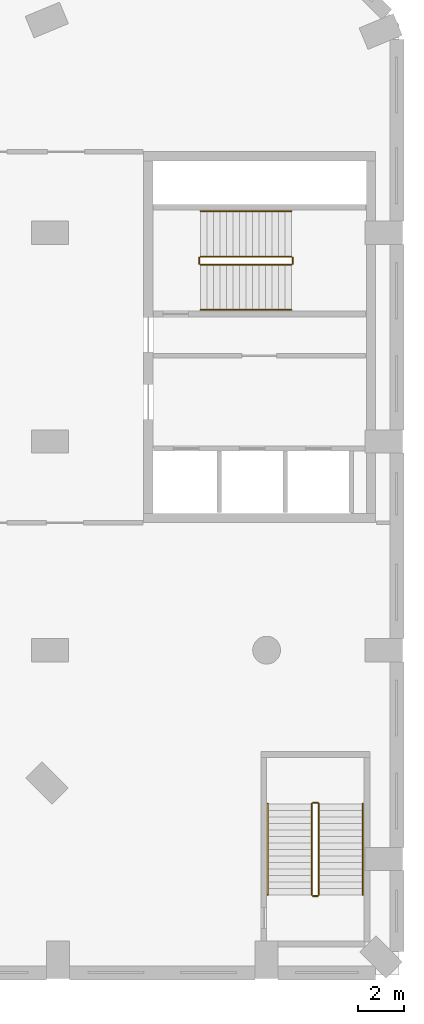
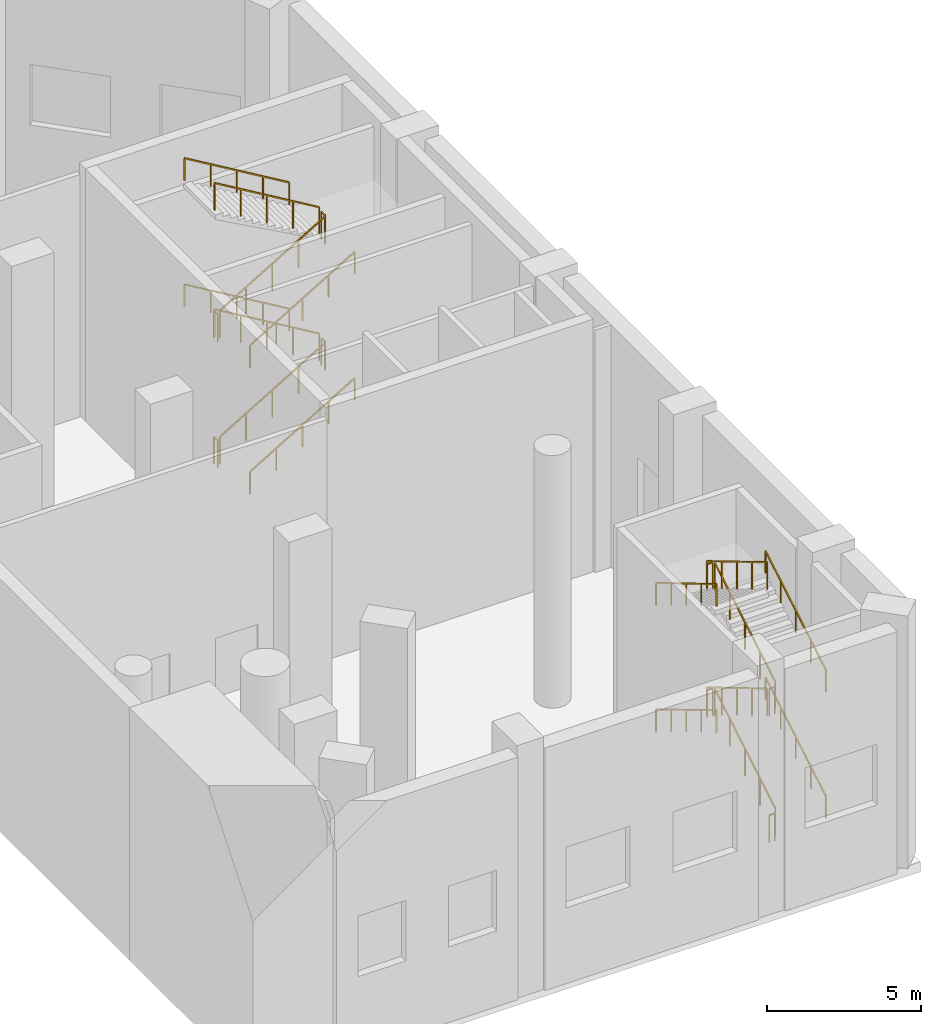
# One storey, part 16 of 16: 24 railings.
"""IFC4 building model written with IfcOpenShell, lengths in metres."""

from ifc_helpers import new_model, si_unit, direction, frame, origin, origin_2d, place, context, subcontext, project, spatial, rectangle, extrude, material, type_object, element, save


model = new_model("IFC4")

# Units and contexts
model_context = context("Model", 3, precision=1e-05, world=origin(), true_north=direction((0.0, 1.0)))
body_context = subcontext(model_context, "Body", "Model", "MODEL_VIEW")
ifc_project = project(units=[si_unit("LENGTHUNIT", "METRE"), si_unit("AREAUNIT", "SQUARE_METRE"), si_unit("VOLUMEUNIT", "CUBIC_METRE"), si_unit("PLANEANGLEUNIT", "RADIAN"), si_unit("MASSUNIT", "GRAM", prefix="KILO")], contexts=[model_context])

# Site, building, storey
site_placement = place(None, origin())
site = spatial("IfcSite", under=ifc_project, at=site_placement, CompositionType="ELEMENT")
building_placement = place(site_placement, origin())
building = spatial("IfcBuilding", under=site, at=building_placement, Name="Cypress Arch Tower", CompositionType="ELEMENT")
storey_placement = place(building_placement, frame((0.0, 0.0, 9.0)))
storey = spatial("IfcBuildingStorey", under=building, at=storey_placement, Name="L01", CompositionType="ELEMENT", Elevation=9.0)

# Railings
ifc_material_1 = material(Name="Black powder-coated steel square bar 48 mm", Category="steel")
railing_type_1 = type_object("IfcRailingType", Name="Stair handrail HR1", PredefinedType="HANDRAIL", material=ifc_material_1)
railing_1_placement = place(storey_placement, frame((30.449951171875, 1.175048828125, 0.166748046875)))
element("IfcRailing", 1, at=railing_1_placement, inside=storey, type_object=railing_type_1, Name="L01 P3 stair handrail 1", PredefinedType="HANDRAIL", context=body_context, shape_type="SweptSolid", body=[
    extrude(rectangle(XDim=0.048095703125, YDim=0.048095703125, at=origin_2d()), frame((0.0, 0.0, 0.8759765625), z_axis=(0.859310244771, 0.0, 0.511454693235), x_axis=(0.0, 1.0, 0.0)), (0.0, 0.0, 1.0), 4.56201171875),
    extrude(rectangle(XDim=0.0419921875, YDim=0.0419921875, at=origin_2d()), origin(), (0.0, 0.0, 1.0), 0.851806640625),
    extrude(rectangle(XDim=0.0419921875, YDim=0.0419921875, at=origin_2d()), frame((0.97998046875, 0.0, 0.583251953125)), (0.0, 0.0, 1.0), 0.851806640625),
    extrude(rectangle(XDim=0.0419921875, YDim=0.0419921875, at=origin_2d()), frame((1.9599609375, 0.0, 1.16650390625)), (0.0, 0.0, 1.0), 0.851806640625),
    extrude(rectangle(XDim=0.0419921875, YDim=0.0419921875, at=origin_2d()), frame((2.940185546875, 0.0, 1.75)), (0.0, 0.0, 1.0), 0.851806640625),
    extrude(rectangle(XDim=0.0419921875, YDim=0.0419921875, at=origin_2d()), frame((3.920166015625, 0.0, 2.333251953125)), (0.0, 0.0, 1.0), 0.851806640625),
])
railing_2_placement = place(storey_placement, frame((34.3701171875, 5.425048828125, 2.666748046875)))
element("IfcRailing", 2, at=railing_2_placement, inside=storey, type_object=railing_type_1, Name="L01 P3 stair handrail 2", PredefinedType="HANDRAIL", context=body_context, shape_type="SweptSolid", body=[
    extrude(rectangle(XDim=0.048095703125, YDim=0.048095703125, at=origin_2d()), frame((0.0, 0.0, 0.8759765625), z_axis=(-0.859310244771, 0.0, 0.511454693235), x_axis=(0.0, -1.0, 0.0)), (0.0, 0.0, 1.0), 4.56201171875),
    extrude(rectangle(XDim=0.0419921875, YDim=0.0419921875, at=origin_2d()), origin(), (0.0, 0.0, 1.0), 0.851806640625),
    extrude(rectangle(XDim=0.0419921875, YDim=0.0419921875, at=origin_2d()), frame((-0.97998046875, 0.0, 0.583251953125)), (0.0, 0.0, 1.0), 0.851806640625),
    extrude(rectangle(XDim=0.0419921875, YDim=0.0419921875, at=origin_2d()), frame((-1.9599609375, 0.0, 1.16650390625)), (0.0, 0.0, 1.0), 0.851806640625),
    extrude(rectangle(XDim=0.0419921875, YDim=0.0419921875, at=origin_2d()), frame((-2.940185546875, 0.0, 1.75)), (0.0, 0.0, 1.0), 0.851806640625),
    extrude(rectangle(XDim=0.0419921875, YDim=0.0419921875, at=origin_2d()), frame((-3.920166015625, 0.0, 2.333251953125)), (0.0, 0.0, 1.0), 0.851806640625),
])
railing_3_placement = place(storey_placement, frame((30.449951171875, 1.175048828125, 5.166748046875)))
element("IfcRailing", 3, at=railing_3_placement, inside=storey, type_object=railing_type_1, Name="L01 P3 stair handrail 3", PredefinedType="HANDRAIL", context=body_context, shape_type="SweptSolid", body=[
    extrude(rectangle(XDim=0.048095703125, YDim=0.048095703125, at=origin_2d()), frame((0.0, 0.0, 0.8759765625), z_axis=(0.859310244771, 0.0, 0.511454693235), x_axis=(0.0, 1.0, 0.0)), (0.0, 0.0, 1.0), 4.56201171875),
    extrude(rectangle(XDim=0.0419921875, YDim=0.0419921875, at=origin_2d()), origin(), (0.0, 0.0, 1.0), 0.851806640625),
    extrude(rectangle(XDim=0.0419921875, YDim=0.0419921875, at=origin_2d()), frame((0.97998046875, 0.0, 0.583251953125)), (0.0, 0.0, 1.0), 0.851806640625),
    extrude(rectangle(XDim=0.0419921875, YDim=0.0419921875, at=origin_2d()), frame((1.9599609375, 0.0, 1.16650390625)), (0.0, 0.0, 1.0), 0.851806640625),
    extrude(rectangle(XDim=0.0419921875, YDim=0.0419921875, at=origin_2d()), frame((2.940185546875, 0.0, 1.75)), (0.0, 0.0, 1.0), 0.851806640625),
    extrude(rectangle(XDim=0.0419921875, YDim=0.0419921875, at=origin_2d()), frame((3.920166015625, 0.0, 2.333251953125)), (0.0, 0.0, 1.0), 0.851806640625),
])
railing_4_placement = place(storey_placement, frame((34.3701171875, 5.425048828125, 7.666748046875)))
element("IfcRailing", 4, at=railing_4_placement, inside=storey, type_object=railing_type_1, Name="L01 P3 stair handrail 4", PredefinedType="HANDRAIL", context=body_context, shape_type="SweptSolid", body=[
    extrude(rectangle(XDim=0.048095703125, YDim=0.048095703125, at=origin_2d()), frame((0.0, 0.0, 0.8759765625), z_axis=(-0.859310244771, 0.0, 0.511454693235), x_axis=(0.0, -1.0, 0.0)), (0.0, 0.0, 1.0), 4.56201171875),
    extrude(rectangle(XDim=0.0419921875, YDim=0.0419921875, at=origin_2d()), origin(), (0.0, 0.0, 1.0), 0.851806640625),
    extrude(rectangle(XDim=0.0419921875, YDim=0.0419921875, at=origin_2d()), frame((-0.97998046875, 0.0, 0.583251953125)), (0.0, 0.0, 1.0), 0.851806640625),
    extrude(rectangle(XDim=0.0419921875, YDim=0.0419921875, at=origin_2d()), frame((-1.9599609375, 0.0, 1.16650390625)), (0.0, 0.0, 1.0), 0.851806640625),
    extrude(rectangle(XDim=0.0419921875, YDim=0.0419921875, at=origin_2d()), frame((-2.940185546875, 0.0, 1.75)), (0.0, 0.0, 1.0), 0.851806640625),
    extrude(rectangle(XDim=0.0419921875, YDim=0.0419921875, at=origin_2d()), frame((-3.920166015625, 0.0, 2.333251953125)), (0.0, 0.0, 1.0), 0.851806640625),
])
railing_5_placement = place(storey_placement, frame((37.449951171875, -24.050048828125, 0.166748046875)))
element("IfcRailing", 5, at=railing_5_placement, inside=storey, type_object=railing_type_1, Name="L01 P4 stair handrail 1", PredefinedType="HANDRAIL", context=body_context, shape_type="SweptSolid", body=[
    extrude(rectangle(XDim=0.048095703125, YDim=0.048095703125, at=origin_2d()), frame((0.0, 0.0, 0.8759765625), z_axis=(0.0, 0.859310244771, 0.511454693235), x_axis=(-1.0, 0.0, 0.0)), (0.0, 0.0, 1.0), 4.56201171875),
    extrude(rectangle(XDim=0.0419921875, YDim=0.0419921875, at=origin_2d()), origin(), (0.0, 0.0, 1.0), 0.851806640625),
    extrude(rectangle(XDim=0.0419921875, YDim=0.0419921875, at=origin_2d()), frame((0.0, 0.97998046875, 0.583251953125)), (0.0, 0.0, 1.0), 0.851806640625),
    extrude(rectangle(XDim=0.0419921875, YDim=0.0419921875, at=origin_2d()), frame((0.0, 1.9599609375, 1.16650390625)), (0.0, 0.0, 1.0), 0.851806640625),
    extrude(rectangle(XDim=0.0419921875, YDim=0.0419921875, at=origin_2d()), frame((0.0, 2.940185546875, 1.75)), (0.0, 0.0, 1.0), 0.851806640625),
    extrude(rectangle(XDim=0.0419921875, YDim=0.0419921875, at=origin_2d()), frame((0.0, 3.920166015625, 2.333251953125)), (0.0, 0.0, 1.0), 0.851806640625),
])
railing_6_placement = place(storey_placement, frame((33.35009765625, -20.1298828125, 2.666748046875)))
element("IfcRailing", 6, at=railing_6_placement, inside=storey, type_object=railing_type_1, Name="L01 P4 stair handrail 2", PredefinedType="HANDRAIL", context=body_context, shape_type="SweptSolid", body=[
    extrude(rectangle(XDim=0.048095703125, YDim=0.048095703125, at=origin_2d()), frame((0.0, 0.0, 0.8759765625), z_axis=(0.0, -0.859310244771, 0.511454693235), x_axis=(1.0, 0.0, 0.0)), (0.0, 0.0, 1.0), 4.56201171875),
    extrude(rectangle(XDim=0.0419921875, YDim=0.0419921875, at=origin_2d()), origin(), (0.0, 0.0, 1.0), 0.851806640625),
    extrude(rectangle(XDim=0.0419921875, YDim=0.0419921875, at=origin_2d()), frame((0.0, -0.97998046875, 0.583251953125)), (0.0, 0.0, 1.0), 0.851806640625),
    extrude(rectangle(XDim=0.0419921875, YDim=0.0419921875, at=origin_2d()), frame((0.0, -1.9599609375, 1.16650390625)), (0.0, 0.0, 1.0), 0.851806640625),
    extrude(rectangle(XDim=0.0419921875, YDim=0.0419921875, at=origin_2d()), frame((0.0, -2.940185546875, 1.75)), (0.0, 0.0, 1.0), 0.851806640625),
    extrude(rectangle(XDim=0.0419921875, YDim=0.0419921875, at=origin_2d()), frame((0.0, -3.920166015625, 2.333251953125)), (0.0, 0.0, 1.0), 0.851806640625),
])
railing_7_placement = place(storey_placement, frame((37.449951171875, -24.050048828125, 5.166748046875)))
element("IfcRailing", 7, at=railing_7_placement, inside=storey, type_object=railing_type_1, Name="L01 P4 stair handrail 3", PredefinedType="HANDRAIL", context=body_context, shape_type="SweptSolid", body=[
    extrude(rectangle(XDim=0.048095703125, YDim=0.048095703125, at=origin_2d()), frame((0.0, 0.0, 0.8759765625), z_axis=(0.0, 0.859310244771, 0.511454693235), x_axis=(-1.0, 0.0, 0.0)), (0.0, 0.0, 1.0), 4.56201171875),
    extrude(rectangle(XDim=0.0419921875, YDim=0.0419921875, at=origin_2d()), origin(), (0.0, 0.0, 1.0), 0.851806640625),
    extrude(rectangle(XDim=0.0419921875, YDim=0.0419921875, at=origin_2d()), frame((0.0, 0.97998046875, 0.583251953125)), (0.0, 0.0, 1.0), 0.851806640625),
    extrude(rectangle(XDim=0.0419921875, YDim=0.0419921875, at=origin_2d()), frame((0.0, 1.9599609375, 1.16650390625)), (0.0, 0.0, 1.0), 0.851806640625),
    extrude(rectangle(XDim=0.0419921875, YDim=0.0419921875, at=origin_2d()), frame((0.0, 2.940185546875, 1.75)), (0.0, 0.0, 1.0), 0.851806640625),
    extrude(rectangle(XDim=0.0419921875, YDim=0.0419921875, at=origin_2d()), frame((0.0, 3.920166015625, 2.333251953125)), (0.0, 0.0, 1.0), 0.851806640625),
])
railing_8_placement = place(storey_placement, frame((33.35009765625, -20.1298828125, 7.666748046875)))
element("IfcRailing", 8, at=railing_8_placement, inside=storey, type_object=railing_type_1, Name="L01 P4 stair handrail 4", PredefinedType="HANDRAIL", context=body_context, shape_type="SweptSolid", body=[
    extrude(rectangle(XDim=0.048095703125, YDim=0.048095703125, at=origin_2d()), frame((0.0, 0.0, 0.8759765625), z_axis=(0.0, -0.859310244771, 0.511454693235), x_axis=(1.0, 0.0, 0.0)), (0.0, 0.0, 1.0), 4.56201171875),
    extrude(rectangle(XDim=0.0419921875, YDim=0.0419921875, at=origin_2d()), origin(), (0.0, 0.0, 1.0), 0.851806640625),
    extrude(rectangle(XDim=0.0419921875, YDim=0.0419921875, at=origin_2d()), frame((0.0, -0.97998046875, 0.583251953125)), (0.0, 0.0, 1.0), 0.851806640625),
    extrude(rectangle(XDim=0.0419921875, YDim=0.0419921875, at=origin_2d()), frame((0.0, -1.9599609375, 1.16650390625)), (0.0, 0.0, 1.0), 0.851806640625),
    extrude(rectangle(XDim=0.0419921875, YDim=0.0419921875, at=origin_2d()), frame((0.0, -2.940185546875, 1.75)), (0.0, 0.0, 1.0), 0.851806640625),
    extrude(rectangle(XDim=0.0419921875, YDim=0.0419921875, at=origin_2d()), frame((0.0, -3.920166015625, 2.333251953125)), (0.0, 0.0, 1.0), 0.851806640625),
])
ifc_material_2 = material(Name="Black powder-coated steel balusters", Category="steel")
railing_type_2 = type_object("IfcRailingType", Name="Stair well guard G1", PredefinedType="GUARDRAIL", material=ifc_material_2)
railing_9_placement = place(storey_placement, frame((30.449951171875, 3.125, 0.166748046875)))
element("IfcRailing", 9, at=railing_9_placement, inside=storey, type_object=railing_type_2, Name="L01 P3 stair guard 1", PredefinedType="GUARDRAIL", context=body_context, shape_type="SweptSolid", body=[
    extrude(rectangle(XDim=0.048095703125, YDim=0.048095703125, at=origin_2d()), frame((0.0, 0.0, 1.076171875), z_axis=(0.859310244771, 0.0, 0.511454693235), x_axis=(0.0, 1.0, 0.0)), (0.0, 0.0, 1.0), 4.56201171875),
    extrude(rectangle(XDim=0.0419921875, YDim=0.0419921875, at=origin_2d()), origin(), (0.0, 0.0, 1.0), 1.052001953125),
    extrude(rectangle(XDim=0.0419921875, YDim=0.0419921875, at=origin_2d()), frame((0.97998046875, 0.0, 0.583251953125)), (0.0, 0.0, 1.0), 1.052001953125),
    extrude(rectangle(XDim=0.0419921875, YDim=0.0419921875, at=origin_2d()), frame((1.9599609375, 0.0, 1.16650390625)), (0.0, 0.0, 1.0), 1.052001953125),
    extrude(rectangle(XDim=0.0419921875, YDim=0.0419921875, at=origin_2d()), frame((2.940185546875, 0.0, 1.75)), (0.0, 0.0, 1.0), 1.052001953125),
    extrude(rectangle(XDim=0.0419921875, YDim=0.0419921875, at=origin_2d()), frame((3.920166015625, 0.0, 2.333251953125)), (0.0, 0.0, 1.0), 1.052001953125),
])
railing_10_placement = place(storey_placement, frame((34.419921875, 3.175048828125, 2.5)))
element("IfcRailing", 10, at=railing_10_placement, inside=storey, type_object=railing_type_2, Name="L01 P3 stair guard 2", PredefinedType="GUARDRAIL", context=body_context, shape_type="SweptSolid", body=[
    extrude(rectangle(XDim=0.048095703125, YDim=0.048095703125, at=origin_2d()), frame((0.0, 0.0, 1.076171875), z_axis=(0.0, 1.0, 0.0), x_axis=(-1.0, 0.0, 0.0)), (0.0, 0.0, 1.0), 0.25),
    extrude(rectangle(XDim=0.0419921875, YDim=0.0419921875, at=origin_2d()), origin(), (0.0, 0.0, 1.0), 1.052001953125),
    extrude(rectangle(XDim=0.0419921875, YDim=0.0419921875, at=origin_2d()), frame((0.0, 0.25, 0.0)), (0.0, 0.0, 1.0), 1.052001953125),
])
railing_11_placement = place(storey_placement, frame((34.3701171875, 3.47509765625, 2.666748046875)))
element("IfcRailing", 11, at=railing_11_placement, inside=storey, type_object=railing_type_2, Name="L01 P3 stair guard 3", PredefinedType="GUARDRAIL", context=body_context, shape_type="SweptSolid", body=[
    extrude(rectangle(XDim=0.048095703125, YDim=0.048095703125, at=origin_2d()), frame((0.0, 0.0, 1.076171875), z_axis=(-0.859310244771, 0.0, 0.511454693235), x_axis=(0.0, -1.0, 0.0)), (0.0, 0.0, 1.0), 4.56201171875),
    extrude(rectangle(XDim=0.0419921875, YDim=0.0419921875, at=origin_2d()), origin(), (0.0, 0.0, 1.0), 1.052001953125),
    extrude(rectangle(XDim=0.0419921875, YDim=0.0419921875, at=origin_2d()), frame((-0.97998046875, 0.0, 0.583251953125)), (0.0, 0.0, 1.0), 1.052001953125),
    extrude(rectangle(XDim=0.0419921875, YDim=0.0419921875, at=origin_2d()), frame((-1.9599609375, 0.0, 1.16650390625)), (0.0, 0.0, 1.0), 1.052001953125),
    extrude(rectangle(XDim=0.0419921875, YDim=0.0419921875, at=origin_2d()), frame((-2.940185546875, 0.0, 1.75)), (0.0, 0.0, 1.0), 1.052001953125),
    extrude(rectangle(XDim=0.0419921875, YDim=0.0419921875, at=origin_2d()), frame((-3.920166015625, 0.0, 2.333251953125)), (0.0, 0.0, 1.0), 1.052001953125),
])
railing_12_placement = place(storey_placement, frame((30.39990234375, 3.175048828125, 5.0)))
element("IfcRailing", 12, at=railing_12_placement, inside=storey, type_object=railing_type_2, Name="L01 P3 stair guard 4", PredefinedType="GUARDRAIL", context=body_context, shape_type="SweptSolid", body=[
    extrude(rectangle(XDim=0.048095703125, YDim=0.048095703125, at=origin_2d()), frame((0.0, 0.0, 1.076171875), z_axis=(0.0, 1.0, 0.0), x_axis=(-1.0, 0.0, 0.0)), (0.0, 0.0, 1.0), 0.25),
    extrude(rectangle(XDim=0.0419921875, YDim=0.0419921875, at=origin_2d()), origin(), (0.0, 0.0, 1.0), 1.052001953125),
    extrude(rectangle(XDim=0.0419921875, YDim=0.0419921875, at=origin_2d()), frame((0.0, 0.25, 0.0)), (0.0, 0.0, 1.0), 1.052001953125),
])
railing_13_placement = place(storey_placement, frame((30.449951171875, 3.125, 5.166748046875)))
element("IfcRailing", 13, at=railing_13_placement, inside=storey, type_object=railing_type_2, Name="L01 P3 stair guard 5", PredefinedType="GUARDRAIL", context=body_context, shape_type="SweptSolid", body=[
    extrude(rectangle(XDim=0.048095703125, YDim=0.048095703125, at=origin_2d()), frame((0.0, 0.0, 1.076171875), z_axis=(0.859310244771, 0.0, 0.511454693235), x_axis=(0.0, 1.0, 0.0)), (0.0, 0.0, 1.0), 4.56201171875),
    extrude(rectangle(XDim=0.0419921875, YDim=0.0419921875, at=origin_2d()), origin(), (0.0, 0.0, 1.0), 1.052001953125),
    extrude(rectangle(XDim=0.0419921875, YDim=0.0419921875, at=origin_2d()), frame((0.97998046875, 0.0, 0.583251953125)), (0.0, 0.0, 1.0), 1.052001953125),
    extrude(rectangle(XDim=0.0419921875, YDim=0.0419921875, at=origin_2d()), frame((1.9599609375, 0.0, 1.16650390625)), (0.0, 0.0, 1.0), 1.052001953125),
    extrude(rectangle(XDim=0.0419921875, YDim=0.0419921875, at=origin_2d()), frame((2.940185546875, 0.0, 1.75)), (0.0, 0.0, 1.0), 1.052001953125),
    extrude(rectangle(XDim=0.0419921875, YDim=0.0419921875, at=origin_2d()), frame((3.920166015625, 0.0, 2.333251953125)), (0.0, 0.0, 1.0), 1.052001953125),
])
railing_14_placement = place(storey_placement, frame((34.419921875, 3.175048828125, 7.5)))
element("IfcRailing", 14, at=railing_14_placement, inside=storey, type_object=railing_type_2, Name="L01 P3 stair guard 6", PredefinedType="GUARDRAIL", context=body_context, shape_type="SweptSolid", body=[
    extrude(rectangle(XDim=0.048095703125, YDim=0.048095703125, at=origin_2d()), frame((0.0, 0.0, 1.076171875), z_axis=(0.0, 1.0, 0.0), x_axis=(-1.0, 0.0, 0.0)), (0.0, 0.0, 1.0), 0.25),
    extrude(rectangle(XDim=0.0419921875, YDim=0.0419921875, at=origin_2d()), origin(), (0.0, 0.0, 1.0), 1.052001953125),
    extrude(rectangle(XDim=0.0419921875, YDim=0.0419921875, at=origin_2d()), frame((0.0, 0.25, 0.0)), (0.0, 0.0, 1.0), 1.052001953125),
])
railing_15_placement = place(storey_placement, frame((34.3701171875, 3.47509765625, 7.666748046875)))
element("IfcRailing", 15, at=railing_15_placement, inside=storey, type_object=railing_type_2, Name="L01 P3 stair guard 7", PredefinedType="GUARDRAIL", context=body_context, shape_type="SweptSolid", body=[
    extrude(rectangle(XDim=0.048095703125, YDim=0.048095703125, at=origin_2d()), frame((0.0, 0.0, 1.076171875), z_axis=(-0.859310244771, 0.0, 0.511454693235), x_axis=(0.0, -1.0, 0.0)), (0.0, 0.0, 1.0), 4.56201171875),
    extrude(rectangle(XDim=0.0419921875, YDim=0.0419921875, at=origin_2d()), origin(), (0.0, 0.0, 1.0), 1.052001953125),
    extrude(rectangle(XDim=0.0419921875, YDim=0.0419921875, at=origin_2d()), frame((-0.97998046875, 0.0, 0.583251953125)), (0.0, 0.0, 1.0), 1.052001953125),
    extrude(rectangle(XDim=0.0419921875, YDim=0.0419921875, at=origin_2d()), frame((-1.9599609375, 0.0, 1.16650390625)), (0.0, 0.0, 1.0), 1.052001953125),
    extrude(rectangle(XDim=0.0419921875, YDim=0.0419921875, at=origin_2d()), frame((-2.940185546875, 0.0, 1.75)), (0.0, 0.0, 1.0), 1.052001953125),
    extrude(rectangle(XDim=0.0419921875, YDim=0.0419921875, at=origin_2d()), frame((-3.920166015625, 0.0, 2.333251953125)), (0.0, 0.0, 1.0), 1.052001953125),
])
railing_16_placement = place(storey_placement, frame((30.39990234375, 3.175048828125, 0.0)))
element("IfcRailing", 16, at=railing_16_placement, inside=storey, type_object=railing_type_2, Name="L01 P3 stair guard 8", PredefinedType="GUARDRAIL", context=body_context, shape_type="SweptSolid", body=[
    extrude(rectangle(XDim=0.048095703125, YDim=0.048095703125, at=origin_2d()), frame((0.0, 0.0, 1.076171875), z_axis=(0.0, 1.0, 0.0), x_axis=(-1.0, 0.0, 0.0)), (0.0, 0.0, 1.0), 0.25),
    extrude(rectangle(XDim=0.0419921875, YDim=0.0419921875, at=origin_2d()), origin(), (0.0, 0.0, 1.0), 1.052001953125),
    extrude(rectangle(XDim=0.0419921875, YDim=0.0419921875, at=origin_2d()), frame((0.0, 0.25, 0.0)), (0.0, 0.0, 1.0), 1.052001953125),
])
railing_17_placement = place(storey_placement, frame((35.550048828125, -24.050048828125, 0.166748046875)))
element("IfcRailing", 17, at=railing_17_placement, inside=storey, type_object=railing_type_2, Name="L01 P4 stair guard 1", PredefinedType="GUARDRAIL", context=body_context, shape_type="SweptSolid", body=[
    extrude(rectangle(XDim=0.048095703125, YDim=0.048095703125, at=origin_2d()), frame((0.0, 0.0, 1.076171875), z_axis=(0.0, 0.859310244771, 0.511454693235), x_axis=(-1.0, 0.0, 0.0)), (0.0, 0.0, 1.0), 4.56201171875),
    extrude(rectangle(XDim=0.0419921875, YDim=0.0419921875, at=origin_2d()), origin(), (0.0, 0.0, 1.0), 1.052001953125),
    extrude(rectangle(XDim=0.0419921875, YDim=0.0419921875, at=origin_2d()), frame((0.0, 0.97998046875, 0.583251953125)), (0.0, 0.0, 1.0), 1.052001953125),
    extrude(rectangle(XDim=0.0419921875, YDim=0.0419921875, at=origin_2d()), frame((0.0, 1.9599609375, 1.16650390625)), (0.0, 0.0, 1.0), 1.052001953125),
    extrude(rectangle(XDim=0.0419921875, YDim=0.0419921875, at=origin_2d()), frame((0.0, 2.940185546875, 1.75)), (0.0, 0.0, 1.0), 1.052001953125),
    extrude(rectangle(XDim=0.0419921875, YDim=0.0419921875, at=origin_2d()), frame((0.0, 3.920166015625, 2.333251953125)), (0.0, 0.0, 1.0), 1.052001953125),
])
railing_18_placement = place(storey_placement, frame((35.5, -20.080078125, 2.5)))
element("IfcRailing", 18, at=railing_18_placement, inside=storey, type_object=railing_type_2, Name="L01 P4 stair guard 2", PredefinedType="GUARDRAIL", context=body_context, shape_type="SweptSolid", body=[
    extrude(rectangle(XDim=0.048095703125, YDim=0.048095703125, at=origin_2d()), frame((0.0, 0.0, 1.076171875), z_axis=(-1.0, 0.0, 0.0), x_axis=(0.0, -1.0, 0.0)), (0.0, 0.0, 1.0), 0.199951171875),
    extrude(rectangle(XDim=0.0419921875, YDim=0.0419921875, at=origin_2d()), origin(), (0.0, 0.0, 1.0), 1.052001953125),
    extrude(rectangle(XDim=0.0419921875, YDim=0.0419921875, at=origin_2d()), frame((-0.199951171875, 0.0, 0.0)), (0.0, 0.0, 1.0), 1.052001953125),
])
railing_19_placement = place(storey_placement, frame((35.25, -20.1298828125, 2.666748046875)))
element("IfcRailing", 19, at=railing_19_placement, inside=storey, type_object=railing_type_2, Name="L01 P4 stair guard 3", PredefinedType="GUARDRAIL", context=body_context, shape_type="SweptSolid", body=[
    extrude(rectangle(XDim=0.048095703125, YDim=0.048095703125, at=origin_2d()), frame((0.0, 0.0, 1.076171875), z_axis=(0.0, -0.859310244771, 0.511454693235), x_axis=(1.0, 0.0, 0.0)), (0.0, 0.0, 1.0), 4.56201171875),
    extrude(rectangle(XDim=0.0419921875, YDim=0.0419921875, at=origin_2d()), origin(), (0.0, 0.0, 1.0), 1.052001953125),
    extrude(rectangle(XDim=0.0419921875, YDim=0.0419921875, at=origin_2d()), frame((0.0, -0.97998046875, 0.583251953125)), (0.0, 0.0, 1.0), 1.052001953125),
    extrude(rectangle(XDim=0.0419921875, YDim=0.0419921875, at=origin_2d()), frame((0.0, -1.9599609375, 1.16650390625)), (0.0, 0.0, 1.0), 1.052001953125),
    extrude(rectangle(XDim=0.0419921875, YDim=0.0419921875, at=origin_2d()), frame((0.0, -2.940185546875, 1.75)), (0.0, 0.0, 1.0), 1.052001953125),
    extrude(rectangle(XDim=0.0419921875, YDim=0.0419921875, at=origin_2d()), frame((0.0, -3.920166015625, 2.333251953125)), (0.0, 0.0, 1.0), 1.052001953125),
])
railing_20_placement = place(storey_placement, frame((35.5, -24.10009765625, 5.0)))
element("IfcRailing", 20, at=railing_20_placement, inside=storey, type_object=railing_type_2, Name="L01 P4 stair guard 4", PredefinedType="GUARDRAIL", context=body_context, shape_type="SweptSolid", body=[
    extrude(rectangle(XDim=0.048095703125, YDim=0.048095703125, at=origin_2d()), frame((0.0, 0.0, 1.076171875), z_axis=(-1.0, 0.0, 0.0), x_axis=(0.0, -1.0, 0.0)), (0.0, 0.0, 1.0), 0.199951171875),
    extrude(rectangle(XDim=0.0419921875, YDim=0.0419921875, at=origin_2d()), origin(), (0.0, 0.0, 1.0), 1.052001953125),
    extrude(rectangle(XDim=0.0419921875, YDim=0.0419921875, at=origin_2d()), frame((-0.199951171875, 0.0, 0.0)), (0.0, 0.0, 1.0), 1.052001953125),
])
railing_21_placement = place(storey_placement, frame((35.550048828125, -24.050048828125, 5.166748046875)))
element("IfcRailing", 21, at=railing_21_placement, inside=storey, type_object=railing_type_2, Name="L01 P4 stair guard 5", PredefinedType="GUARDRAIL", context=body_context, shape_type="SweptSolid", body=[
    extrude(rectangle(XDim=0.048095703125, YDim=0.048095703125, at=origin_2d()), frame((0.0, 0.0, 1.076171875), z_axis=(0.0, 0.859310244771, 0.511454693235), x_axis=(-1.0, 0.0, 0.0)), (0.0, 0.0, 1.0), 4.56201171875),
    extrude(rectangle(XDim=0.0419921875, YDim=0.0419921875, at=origin_2d()), origin(), (0.0, 0.0, 1.0), 1.052001953125),
    extrude(rectangle(XDim=0.0419921875, YDim=0.0419921875, at=origin_2d()), frame((0.0, 0.97998046875, 0.583251953125)), (0.0, 0.0, 1.0), 1.052001953125),
    extrude(rectangle(XDim=0.0419921875, YDim=0.0419921875, at=origin_2d()), frame((0.0, 1.9599609375, 1.16650390625)), (0.0, 0.0, 1.0), 1.052001953125),
    extrude(rectangle(XDim=0.0419921875, YDim=0.0419921875, at=origin_2d()), frame((0.0, 2.940185546875, 1.75)), (0.0, 0.0, 1.0), 1.052001953125),
    extrude(rectangle(XDim=0.0419921875, YDim=0.0419921875, at=origin_2d()), frame((0.0, 3.920166015625, 2.333251953125)), (0.0, 0.0, 1.0), 1.052001953125),
])
railing_22_placement = place(storey_placement, frame((35.5, -20.080078125, 7.5)))
element("IfcRailing", 22, at=railing_22_placement, inside=storey, type_object=railing_type_2, Name="L01 P4 stair guard 6", PredefinedType="GUARDRAIL", context=body_context, shape_type="SweptSolid", body=[
    extrude(rectangle(XDim=0.048095703125, YDim=0.048095703125, at=origin_2d()), frame((0.0, 0.0, 1.076171875), z_axis=(-1.0, 0.0, 0.0), x_axis=(0.0, -1.0, 0.0)), (0.0, 0.0, 1.0), 0.199951171875),
    extrude(rectangle(XDim=0.0419921875, YDim=0.0419921875, at=origin_2d()), origin(), (0.0, 0.0, 1.0), 1.052001953125),
    extrude(rectangle(XDim=0.0419921875, YDim=0.0419921875, at=origin_2d()), frame((-0.199951171875, 0.0, 0.0)), (0.0, 0.0, 1.0), 1.052001953125),
])
railing_23_placement = place(storey_placement, frame((35.25, -20.1298828125, 7.666748046875)))
element("IfcRailing", 23, at=railing_23_placement, inside=storey, type_object=railing_type_2, Name="L01 P4 stair guard 7", PredefinedType="GUARDRAIL", context=body_context, shape_type="SweptSolid", body=[
    extrude(rectangle(XDim=0.048095703125, YDim=0.048095703125, at=origin_2d()), frame((0.0, 0.0, 1.076171875), z_axis=(0.0, -0.859310244771, 0.511454693235), x_axis=(1.0, 0.0, 0.0)), (0.0, 0.0, 1.0), 4.56201171875),
    extrude(rectangle(XDim=0.0419921875, YDim=0.0419921875, at=origin_2d()), origin(), (0.0, 0.0, 1.0), 1.052001953125),
    extrude(rectangle(XDim=0.0419921875, YDim=0.0419921875, at=origin_2d()), frame((0.0, -0.97998046875, 0.583251953125)), (0.0, 0.0, 1.0), 1.052001953125),
    extrude(rectangle(XDim=0.0419921875, YDim=0.0419921875, at=origin_2d()), frame((0.0, -1.9599609375, 1.16650390625)), (0.0, 0.0, 1.0), 1.052001953125),
    extrude(rectangle(XDim=0.0419921875, YDim=0.0419921875, at=origin_2d()), frame((0.0, -2.940185546875, 1.75)), (0.0, 0.0, 1.0), 1.052001953125),
    extrude(rectangle(XDim=0.0419921875, YDim=0.0419921875, at=origin_2d()), frame((0.0, -3.920166015625, 2.333251953125)), (0.0, 0.0, 1.0), 1.052001953125),
])
railing_24_placement = place(storey_placement, frame((35.5, -24.10009765625, 0.0)))
element("IfcRailing", 24, at=railing_24_placement, inside=storey, type_object=railing_type_2, Name="L01 P4 stair guard 8", PredefinedType="GUARDRAIL", context=body_context, shape_type="SweptSolid", body=[
    extrude(rectangle(XDim=0.048095703125, YDim=0.048095703125, at=origin_2d()), frame((0.0, 0.0, 1.076171875), z_axis=(-1.0, 0.0, 0.0), x_axis=(0.0, -1.0, 0.0)), (0.0, 0.0, 1.0), 0.199951171875),
    extrude(rectangle(XDim=0.0419921875, YDim=0.0419921875, at=origin_2d()), origin(), (0.0, 0.0, 1.0), 1.052001953125),
    extrude(rectangle(XDim=0.0419921875, YDim=0.0419921875, at=origin_2d()), frame((-0.199951171875, 0.0, 0.0)), (0.0, 0.0, 1.0), 1.052001953125),
])

save(model, "model.ifc")
